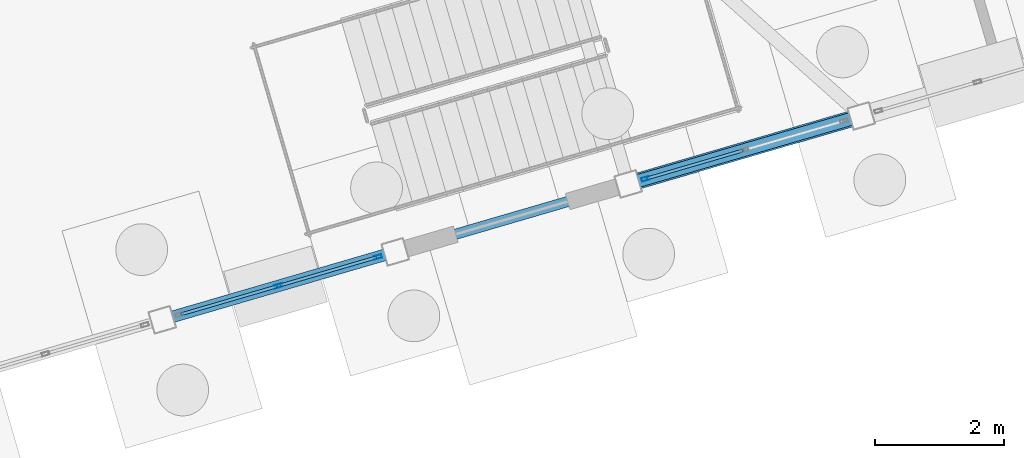
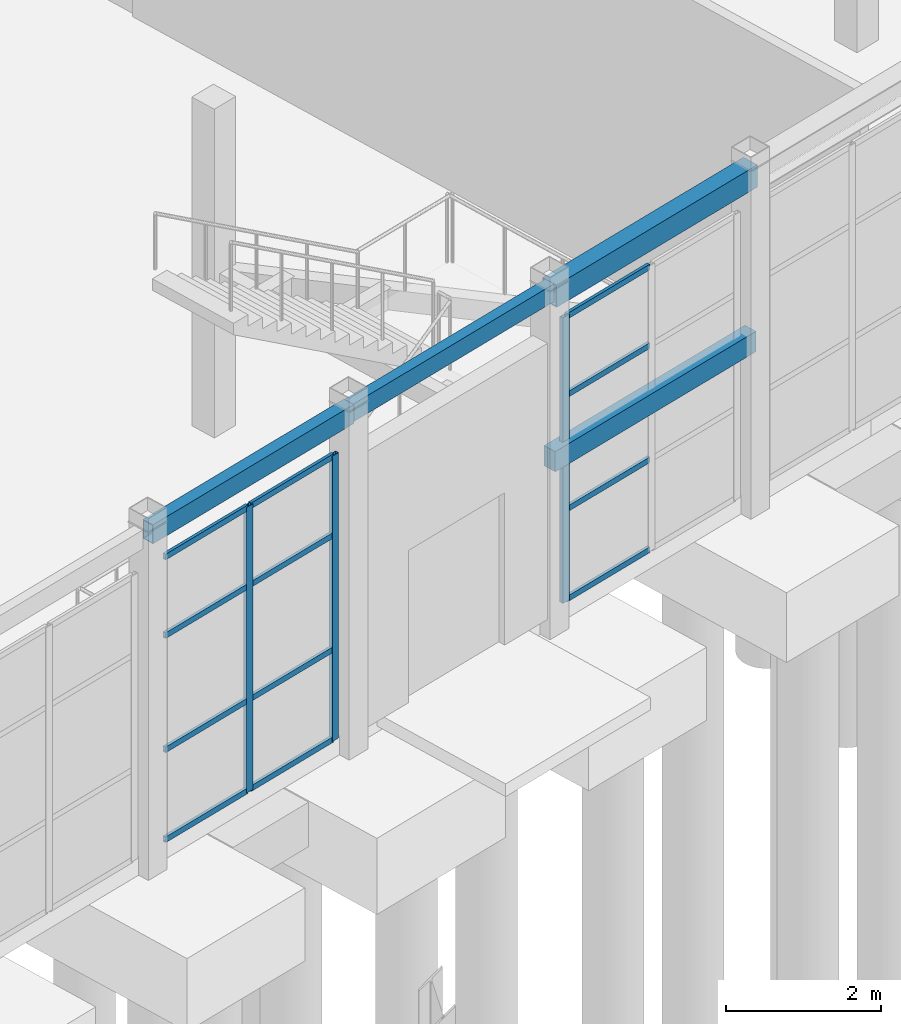
# One storey, part 32 of 90: 15 members, 4 beams, 2 elements without a shape of their own.
"""IFC4 building model written with IfcOpenShell, lengths in metres."""

from ifc_helpers import new_model, si_unit, direction, frame, origin, origin_2d, place, context, subcontext, project, spatial, rectangle, hollow_rectangle, extrude, material, layer, layer_set, material_profile, profile_set, type_object, element, aggregate, save


model = new_model("IFC4")

# Units and contexts
model_context = context("Model", 3, precision=1e-05, world=origin(), true_north=direction((0.0, 1.0)))
body_context = subcontext(model_context, "Body", "Model", "MODEL_VIEW")
ifc_project = project(units=[si_unit("LENGTHUNIT", "METRE"), si_unit("AREAUNIT", "SQUARE_METRE"), si_unit("VOLUMEUNIT", "CUBIC_METRE"), si_unit("PLANEANGLEUNIT", "RADIAN"), si_unit("MASSUNIT", "GRAM", prefix="KILO")], contexts=[model_context])

# Site, building, storey
site_placement = place(None, origin())
site = spatial("IfcSite", under=ifc_project, at=site_placement, CompositionType="ELEMENT")
building_placement = place(site_placement, origin())
building = spatial("IfcBuilding", under=site, at=building_placement, Name="Canggui Botanical Conservatory", CompositionType="ELEMENT")
storey_placement = place(building_placement, origin())
storey = spatial("IfcBuildingStorey", under=building, at=storey_placement, Name="L01", CompositionType="ELEMENT", Elevation=0.0)

# Beams
ifc_material_1 = material(Name="Steel Q355B", Category="steel")
ifc_material_profile_1 = material_profile(ifc_material_1, hollow_rectangle(XDim=0.179931640625, YDim=0.300048828125, WallThickness=0.010009765625, at=origin_2d()), Name="RHS 180x300x10")
ifc_profile_set_1 = profile_set([ifc_material_profile_1], Name="Steel Q355B")
beam_type_1 = type_object("IfcBeamType", Name="BM-GL13", PredefinedType="BEAM", material=ifc_profile_set_1)
beam_1_placement = place(storey_placement, frame((41.60009765625, 48.300048828125, 5.02490234375), z_axis=(0.959993437014, 0.280022500685, 0.0), x_axis=(-0.280022500685, 0.959993437014, 0.0)))
element("IfcBeam", 1, at=beam_1_placement, inside=storey, type_object=beam_type_1, Name="Conservatory Skywalk Perimeter Girder V0-07", PredefinedType="BEAM", context=body_context, shape_type="SweptSolid", body=[
    extrude(hollow_rectangle(XDim=0.179931640625, YDim=0.300048828125, WallThickness=0.010009765625, at=origin_2d()), origin(), (0.0, 0.0, 1.0), 3.749755859375),
])
ifc_material_profile_2 = material_profile(ifc_material_1, hollow_rectangle(XDim=0.159912109375, YDim=0.280029296875, WallThickness=0.010009765625, at=origin_2d()), Name="RHS 160x280x10")
ifc_profile_set_2 = profile_set([ifc_material_profile_2], Name="Steel Q355B")
beam_type_2 = type_object("IfcBeamType", Name="BM-GL14", PredefinedType="BEAM", material=ifc_profile_set_2)
beam_2_placement = place(storey_placement, frame((45.199951171875, 49.35009765625, 5.034912109375), z_axis=(0.960016039924, 0.279945000113, 0.0), x_axis=(-0.279945000113, 0.960016039924, 0.0)))
element("IfcBeam", 2, at=beam_2_placement, inside=storey, type_object=beam_type_2, Name="Conservatory Skywalk Perimeter Girder V0-08", PredefinedType="BEAM", context=body_context, shape_type="SweptSolid", body=[
    extrude(hollow_rectangle(XDim=0.159912109375, YDim=0.280029296875, WallThickness=0.010009765625, at=origin_2d()), origin(), (0.0, 0.0, 1.0), 3.75),
])
ifc_material_profile_3 = material_profile(ifc_material_1, hollow_rectangle(XDim=0.25, YDim=0.35009765625, WallThickness=0.011962890625, at=origin_2d()), Name="RHS 250x350x12")
ifc_profile_set_3 = profile_set([ifc_material_profile_3], Name="Steel Q355B")
beam_type_3 = type_object("IfcBeamType", Name="BM-GL15", PredefinedType="BEAM", material=ifc_profile_set_3)
beam_3_placement = place(storey_placement, frame((48.800048828125, 50.39990234375, 5.0), z_axis=(0.959993437014, 0.280022500685, 0.0), x_axis=(-0.280022500685, 0.959993437014, 0.0)))
element("IfcBeam", 3, at=beam_3_placement, inside=storey, type_object=beam_type_3, Name="Conservatory Skywalk Perimeter Girder V0-09", PredefinedType="BEAM", context=body_context, shape_type="SweptSolid", body=[
    extrude(hollow_rectangle(XDim=0.25, YDim=0.35009765625, WallThickness=0.011962890625, at=origin_2d()), origin(), (0.0, 0.0, 1.0), 3.749755859375),
])
ifc_material_2 = material(Name="Concrete C35", Category="concrete")
ifc_material_profile_4 = material_profile(ifc_material_2, rectangle(XDim=0.199951171875, YDim=0.320068359375, at=origin_2d()), Name="RB 200x320")
ifc_profile_set_4 = profile_set([ifc_material_profile_4], Name="Concrete C35")
beam_type_4 = type_object("IfcBeamType", Name="BM-LIN02", PredefinedType="LINTEL", material=ifc_profile_set_4)
beam_4_placement = place(storey_placement, frame((48.800048828125, 50.39990234375, 2.3798828125), z_axis=(0.959993437014, 0.280022500685, 0.0), x_axis=(-0.280022500685, 0.959993437014, 0.0)))
element("IfcBeam", 4, at=beam_4_placement, inside=storey, type_object=beam_type_4, Name="ST-C1 Landing Header V0", PredefinedType="LINTEL", context=body_context, shape_type="SweptSolid", body=[
    extrude(rectangle(XDim=0.199951171875, YDim=0.320068359375, at=origin_2d()), origin(), (0.0, 0.0, 1.0), 3.749755859375),
])

# Curtain wall, members
ifc_material_3 = material(Name="Thermally Broken Aluminium", Category="aluminium")
ifc_layer = layer(ifc_material_3, 0.1201171875, Name="Thermally Broken Aluminium", Category="aluminium")
ifc_layer_set = layer_set([ifc_layer], Name="Thermally Broken Aluminium")
curtain_wall_type = type_object("IfcCurtainWallType", Name="CW-STICK-B", PredefinedType="USERDEFINED", material=ifc_layer_set)
curtain_wall_1_placement = place(storey_placement, origin())
curtain_wall_1 = element("IfcCurtainWall", 5, at=curtain_wall_1_placement, inside=storey, type_object=curtain_wall_type, Name="Facade Curtain Wall CW-CONS-L01-V0-07", ObjectType="STICK GLAZED WALL", PredefinedType="USERDEFINED")
ifc_material_profile_5 = material_profile(ifc_material_3, hollow_rectangle(XDim=0.054931640625, YDim=0.1201171875, WallThickness=0.0029296875, at=origin_2d()), Name="CWM 55x120x3")
ifc_profile_set_5 = profile_set([ifc_material_profile_5], Name="Thermally Broken Aluminium")
member_type_1 = type_object("IfcMemberType", Name="CWM-05", PredefinedType="MULLION", material=ifc_profile_set_5)
member_1_placement = place(storey_placement, frame((44.93359375, 49.272216796875, 0.0), z_axis=(0.0, 0.0, 1.0), x_axis=(0.279999999995, -0.960000000002, 0.0)))
member_1 = element("IfcMember", 6, at=member_1_placement, type_object=member_type_1, Name="CW-05 mullion 1", PredefinedType="MULLION", context=body_context, shape_type="SweptSolid", body=[
    extrude(hollow_rectangle(XDim=0.054931640625, YDim=0.1201171875, WallThickness=0.0029296875, at=origin_2d()), origin(), (0.0, 0.0, 1.0), 4.5),
])
member_2_placement = place(storey_placement, frame((43.39990234375, 48.824951171875, 0.0), z_axis=(0.0, 0.0, 1.0), x_axis=(0.279999999995, -0.960000000002, 0.0)))
member_2 = element("IfcMember", 7, at=member_2_placement, type_object=member_type_1, Name="CW-05 mullion 2", PredefinedType="MULLION", context=body_context, shape_type="SweptSolid", body=[
    extrude(hollow_rectangle(XDim=0.054931640625, YDim=0.1201171875, WallThickness=0.0029296875, at=origin_2d()), origin(), (0.0, 0.0, 1.0), 4.5),
])

# Curtain wall, member
curtain_wall_2_placement = place(storey_placement, origin())
curtain_wall_2 = element("IfcCurtainWall", 8, at=curtain_wall_2_placement, inside=storey, type_object=curtain_wall_type, Name="Facade Curtain Wall CW-CONS-L01-V0-09", ObjectType="STICK GLAZED WALL", PredefinedType="USERDEFINED")
member_3_placement = place(storey_placement, frame((49.06640625, 50.477783203125, 0.0), z_axis=(0.0, 0.0, 1.0), x_axis=(0.279999999995, -0.960000000002, 0.0)))
member_3 = element("IfcMember", 9, at=member_3_placement, type_object=member_type_1, Name="CW-05 mullion 3", PredefinedType="MULLION", context=body_context, shape_type="SweptSolid", body=[
    extrude(hollow_rectangle(XDim=0.054931640625, YDim=0.1201171875, WallThickness=0.0029296875, at=origin_2d()), origin(), (0.0, 0.0, 1.0), 4.5),
])

# Member
ifc_material_profile_6 = material_profile(ifc_material_3, hollow_rectangle(XDim=0.044921875, YDim=0.090087890625, WallThickness=0.0029296875, at=origin_2d()), Name="CWT 45x90x3")
ifc_profile_set_6 = profile_set([ifc_material_profile_6], Name="Thermally Broken Aluminium")
member_type_2 = type_object("IfcMemberType", Name="CWT-05", PredefinedType="USERDEFINED", material=ifc_profile_set_6)
member_4_placement = place(storey_placement, frame((44.9072265625, 49.2646484375, 0.0224609375), z_axis=(-0.959998227189, -0.280006078137, 0.0), x_axis=(0.280006078137, -0.959998227189, 0.0)))
member_4 = element("IfcMember", 10, at=member_4_placement, type_object=member_type_2, Name="CW-05 transom 1.1", ObjectType="TRANSOM", PredefinedType="USERDEFINED", context=body_context, shape_type="SweptSolid", body=[
    extrude(hollow_rectangle(XDim=0.044921875, YDim=0.090087890625, WallThickness=0.0029296875, at=origin_2d()), origin(), (0.0, 0.0, 1.0), 1.54248046875),
])

member_5_placement = place(storey_placement, frame((44.9072265625, 49.2646484375, 1.43994140625), z_axis=(-0.959998227189, -0.280006078137, 0.0), x_axis=(0.280006078137, -0.959998227189, 0.0)))
member_5 = element("IfcMember", 11, at=member_5_placement, type_object=member_type_2, Name="CW-05 transom 1.2", ObjectType="TRANSOM", PredefinedType="USERDEFINED", context=body_context, shape_type="SweptSolid", body=[
    extrude(hollow_rectangle(XDim=0.044921875, YDim=0.090087890625, WallThickness=0.0029296875, at=origin_2d()), origin(), (0.0, 0.0, 1.0), 1.54248046875),
])

member_6_placement = place(storey_placement, frame((44.9072265625, 49.2646484375, 3.239990234375), z_axis=(-0.959998227189, -0.280006078137, 0.0), x_axis=(0.280006078137, -0.959998227189, 0.0)))
member_6 = element("IfcMember", 12, at=member_6_placement, type_object=member_type_2, Name="CW-05 transom 1.3", ObjectType="TRANSOM", PredefinedType="USERDEFINED", context=body_context, shape_type="SweptSolid", body=[
    extrude(hollow_rectangle(XDim=0.044921875, YDim=0.090087890625, WallThickness=0.0029296875, at=origin_2d()), origin(), (0.0, 0.0, 1.0), 1.54248046875),
])

member_7_placement = place(storey_placement, frame((44.9072265625, 49.2646484375, 4.4775390625), z_axis=(-0.959998227189, -0.280006078137, 0.0), x_axis=(0.280006078137, -0.959998227189, 0.0)))
member_7 = element("IfcMember", 13, at=member_7_placement, type_object=member_type_2, Name="CW-05 transom 1.4", ObjectType="TRANSOM", PredefinedType="USERDEFINED", context=body_context, shape_type="SweptSolid", body=[
    extrude(hollow_rectangle(XDim=0.044921875, YDim=0.090087890625, WallThickness=0.0029296875, at=origin_2d()), origin(), (0.0, 0.0, 1.0), 1.54248046875),
])

member_8_placement = place(storey_placement, frame((43.37353515625, 48.8173828125, 0.0224609375), z_axis=(-0.959998227189, -0.280006078137, 0.0), x_axis=(0.280006078137, -0.959998227189, 0.0)))
member_8 = element("IfcMember", 14, at=member_8_placement, type_object=member_type_2, Name="CW-05 transom 2.1", ObjectType="TRANSOM", PredefinedType="USERDEFINED", context=body_context, shape_type="SweptSolid", body=[
    extrude(hollow_rectangle(XDim=0.044921875, YDim=0.090087890625, WallThickness=0.0029296875, at=origin_2d()), origin(), (0.0, 0.0, 1.0), 1.54248046875),
])

member_9_placement = place(storey_placement, frame((43.37353515625, 48.8173828125, 1.43994140625), z_axis=(-0.959998227189, -0.280006078137, 0.0), x_axis=(0.280006078137, -0.959998227189, 0.0)))
member_9 = element("IfcMember", 15, at=member_9_placement, type_object=member_type_2, Name="CW-05 transom 2.2", ObjectType="TRANSOM", PredefinedType="USERDEFINED", context=body_context, shape_type="SweptSolid", body=[
    extrude(hollow_rectangle(XDim=0.044921875, YDim=0.090087890625, WallThickness=0.0029296875, at=origin_2d()), origin(), (0.0, 0.0, 1.0), 1.54248046875),
])

member_10_placement = place(storey_placement, frame((43.37353515625, 48.8173828125, 3.239990234375), z_axis=(-0.959998227189, -0.280006078137, 0.0), x_axis=(0.280006078137, -0.959998227189, 0.0)))
member_10 = element("IfcMember", 16, at=member_10_placement, type_object=member_type_2, Name="CW-05 transom 2.3", ObjectType="TRANSOM", PredefinedType="USERDEFINED", context=body_context, shape_type="SweptSolid", body=[
    extrude(hollow_rectangle(XDim=0.044921875, YDim=0.090087890625, WallThickness=0.0029296875, at=origin_2d()), origin(), (0.0, 0.0, 1.0), 1.54248046875),
])

member_11_placement = place(storey_placement, frame((43.37353515625, 48.8173828125, 4.4775390625), z_axis=(-0.959998227189, -0.280006078137, 0.0), x_axis=(0.280006078137, -0.959998227189, 0.0)))
member_11 = element("IfcMember", 17, at=member_11_placement, type_object=member_type_2, Name="CW-05 transom 2.4", ObjectType="TRANSOM", PredefinedType="USERDEFINED", context=body_context, shape_type="SweptSolid", body=[
    extrude(hollow_rectangle(XDim=0.044921875, YDim=0.090087890625, WallThickness=0.0029296875, at=origin_2d()), origin(), (0.0, 0.0, 1.0), 1.54248046875),
])

aggregate(curtain_wall_1, [member_1, member_2, member_4, member_5, member_6, member_7, member_8, member_9, member_10, member_11])

member_12_placement = place(storey_placement, frame((50.573486328125, 50.917236328125, 0.0224609375), z_axis=(-0.959998227189, -0.280006078137, 0.0), x_axis=(0.280006078137, -0.959998227189, 0.0)))
member_12 = element("IfcMember", 18, at=member_12_placement, type_object=member_type_2, Name="CW-05 transom 2.1", ObjectType="TRANSOM", PredefinedType="USERDEFINED", context=body_context, shape_type="SweptSolid", body=[
    extrude(hollow_rectangle(XDim=0.044921875, YDim=0.090087890625, WallThickness=0.0029296875, at=origin_2d()), origin(), (0.0, 0.0, 1.0), 1.54248046875),
])

member_13_placement = place(storey_placement, frame((50.573486328125, 50.917236328125, 1.43994140625), z_axis=(-0.959998227189, -0.280006078137, 0.0), x_axis=(0.280006078137, -0.959998227189, 0.0)))
member_13 = element("IfcMember", 19, at=member_13_placement, type_object=member_type_2, Name="CW-05 transom 2.2", ObjectType="TRANSOM", PredefinedType="USERDEFINED", context=body_context, shape_type="SweptSolid", body=[
    extrude(hollow_rectangle(XDim=0.044921875, YDim=0.090087890625, WallThickness=0.0029296875, at=origin_2d()), origin(), (0.0, 0.0, 1.0), 1.54248046875),
])

member_14_placement = place(storey_placement, frame((50.573486328125, 50.917236328125, 3.239990234375), z_axis=(-0.959998227189, -0.280006078137, 0.0), x_axis=(0.280006078137, -0.959998227189, 0.0)))
member_14 = element("IfcMember", 20, at=member_14_placement, type_object=member_type_2, Name="CW-05 transom 2.3", ObjectType="TRANSOM", PredefinedType="USERDEFINED", context=body_context, shape_type="SweptSolid", body=[
    extrude(hollow_rectangle(XDim=0.044921875, YDim=0.090087890625, WallThickness=0.0029296875, at=origin_2d()), origin(), (0.0, 0.0, 1.0), 1.54248046875),
])

member_15_placement = place(storey_placement, frame((50.573486328125, 50.917236328125, 4.4775390625), z_axis=(-0.959998227189, -0.280006078137, 0.0), x_axis=(0.280006078137, -0.959998227189, 0.0)))
member_15 = element("IfcMember", 21, at=member_15_placement, type_object=member_type_2, Name="CW-05 transom 2.4", ObjectType="TRANSOM", PredefinedType="USERDEFINED", context=body_context, shape_type="SweptSolid", body=[
    extrude(hollow_rectangle(XDim=0.044921875, YDim=0.090087890625, WallThickness=0.0029296875, at=origin_2d()), origin(), (0.0, 0.0, 1.0), 1.54248046875),
])

aggregate(curtain_wall_2, [member_3, member_12, member_13, member_14, member_15])

save(model, "model.ifc")
